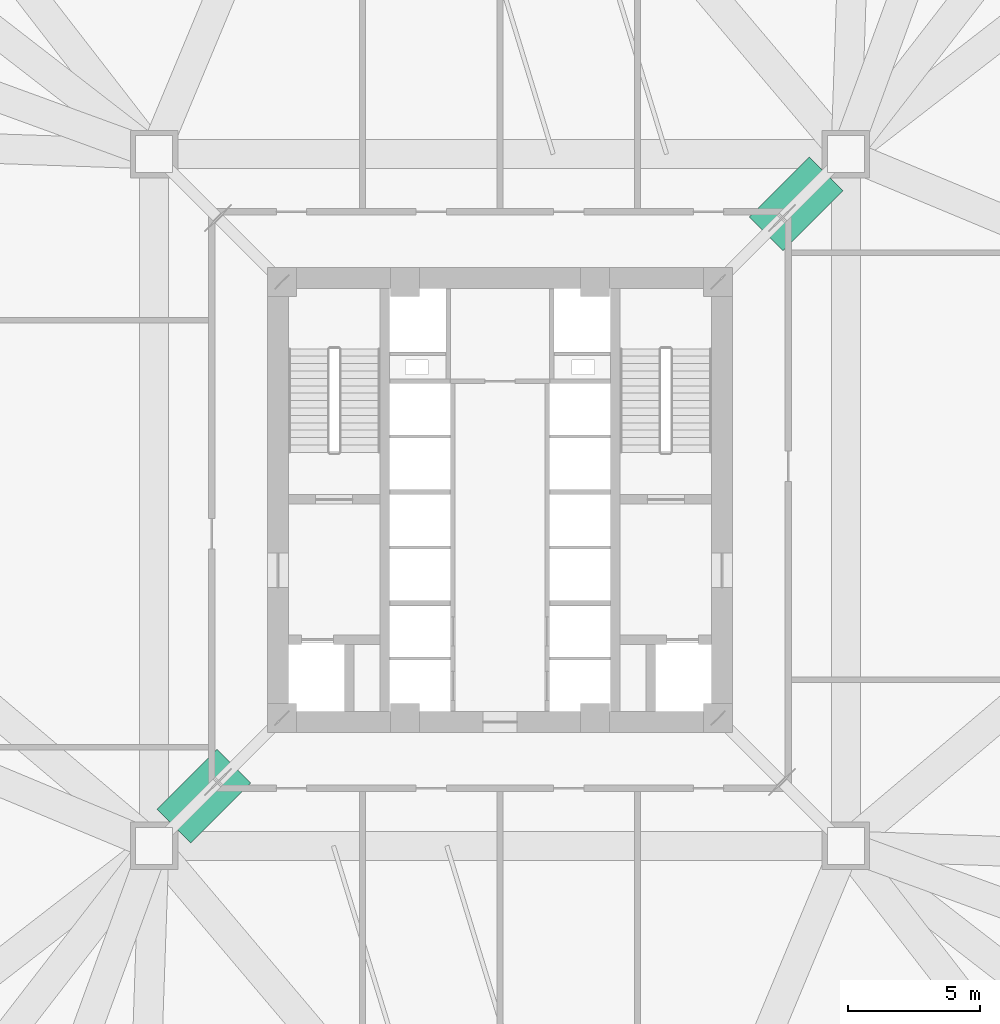
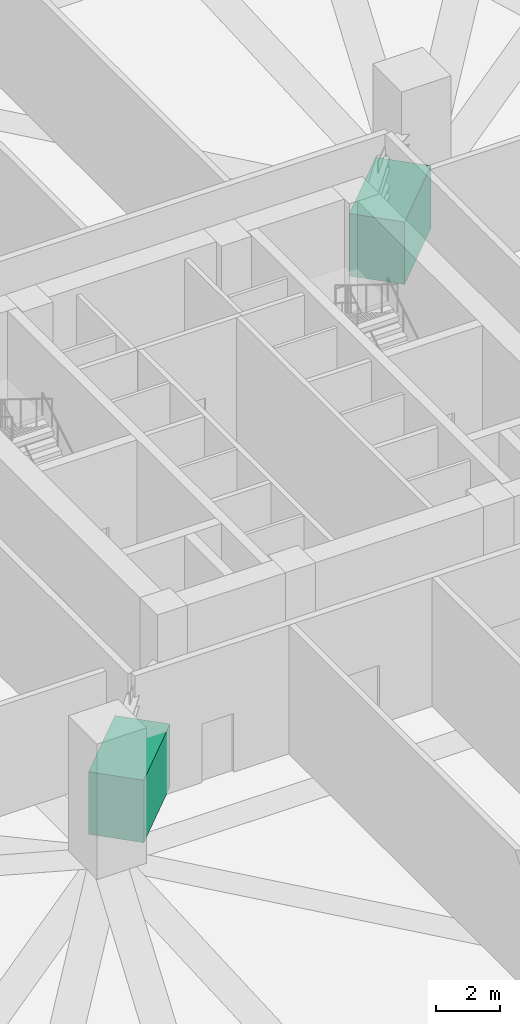
# One storey, part 22 of 22: 2 unitary equipment elements.
"""IFC4 building model written with IfcOpenShell, lengths in metres."""

from ifc_helpers import new_model, si_unit, direction, frame, origin, origin_2d, place, context, subcontext, project, spatial, rectangle, extrude, source, transform, mapped, material, type_object, element, save


model = new_model("IFC4")

# Units and contexts
model_context = context("Model", 3, precision=1e-05, world=origin(), true_north=direction((0.0, 1.0)))
body_context = subcontext(model_context, "Body", "Model", "MODEL_VIEW")
ifc_project = project(units=[si_unit("LENGTHUNIT", "METRE"), si_unit("AREAUNIT", "SQUARE_METRE"), si_unit("VOLUMEUNIT", "CUBIC_METRE"), si_unit("PLANEANGLEUNIT", "RADIAN"), si_unit("MASSUNIT", "GRAM", prefix="KILO"), si_unit("THERMODYNAMICTEMPERATUREUNIT", "KELVIN")], contexts=[model_context])

# Site, building, storey
site_placement = place(None, origin())
site = spatial("IfcSite", under=ifc_project, at=site_placement, CompositionType="ELEMENT")
building_placement = place(site_placement, origin())
building = spatial("IfcBuilding", under=site, at=building_placement, Name="Kosmvard Interchange Tower", CompositionType="ELEMENT")
storey_placement = place(building_placement, frame((0.0, 0.0, 78.0)))
storey = spatial("IfcBuildingStorey", under=building, at=storey_placement, Name="L18", CompositionType="ELEMENT", Elevation=78.0)

# Unitary equipment
ifc_material = material(Name="Steel S355", Category="steel")
unitary_equipment_type = type_object("IfcUnitaryEquipmentType", Name="Centrifugal Water-Cooled Chiller & Heat Recovery Unit", PredefinedType="USERDEFINED", material=ifc_material)
shared_shape = source(origin(), body_context, "Body", "SweptSolid", [
    extrude(rectangle(XDim=3.199951171875, YDim=1.800048828125, at=origin_2d()), origin(), (0.0, 0.0, 1.0), 2.39990234375),
])
for number, where, z_axis, x_axis, name in (
    (1, (11.199951171875, 11.199951171875, 0.0), (0.0, 0.0, 1.0), (0.707106781187, 0.707106781187, 0.0), "L18 Zone Plant Unit CH1"),
    (2, (-11.199951171875, -11.199951171875, 0.0), (0.0, 0.0, 1.0), (0.707106781187, 0.707106781187, 0.0), "L18 Zone Plant Unit AH1"),
):
    element("IfcUnitaryEquipment", number, at=place(storey_placement, frame(where, z_axis=z_axis, x_axis=x_axis)), inside=storey, type_object=unitary_equipment_type, Name=name, ObjectType="CHILLER", PredefinedType="USERDEFINED", context=body_context, shape_type="MappedRepresentation", body=[
        mapped(shared_shape, transform((0.0, 0.0, 0.0), scale=1.0)),
    ])

save(model, "model.ifc")
